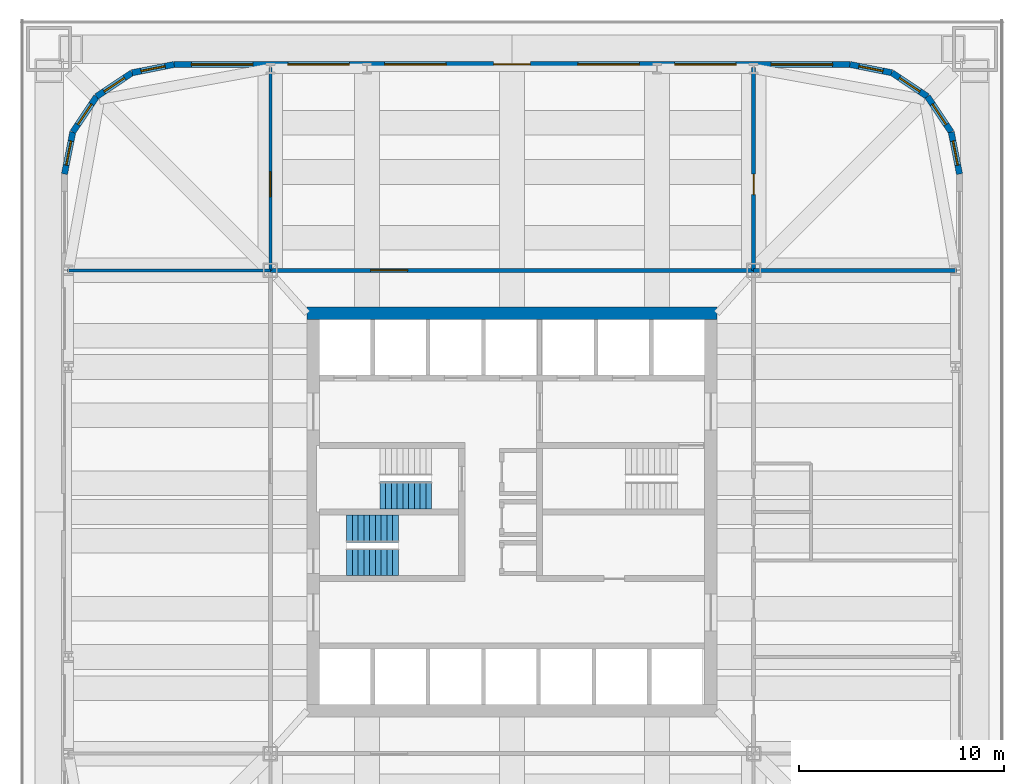
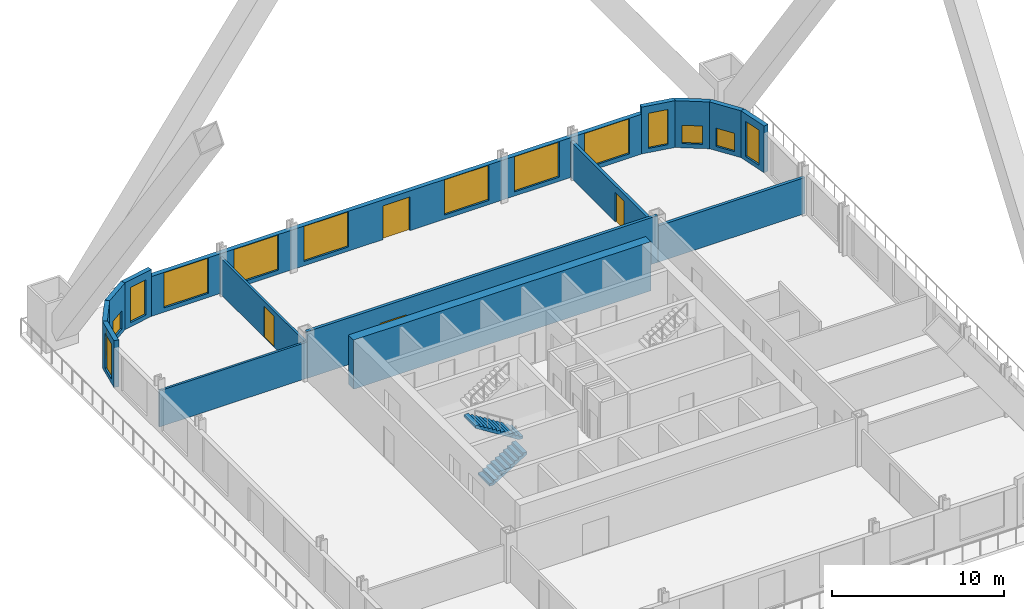
# One storey, part 5 of 7: 15 walls, 14 windows, 4 doors, 3 stair flights, 18 openings, 2 elements without a shape of their own.
"""IFC4 building model written with IfcOpenShell, lengths in metres."""

from ifc_helpers import new_model, si_unit, direction, frame, frame_2d, origin, place, context, subcontext, project, spatial, polyline, rectangle, outline, extrude, material, layer, layer_set, type_object, element, fill, aggregate, save


model = new_model("IFC4")

# Units and contexts
model_context = context("Model", 3, precision=1e-05, world=origin(), true_north=direction((0.0, 1.0)))
body_context = subcontext(model_context, "Body", "Model", "MODEL_VIEW")
ifc_project = project(units=[si_unit("LENGTHUNIT", "METRE"), si_unit("AREAUNIT", "SQUARE_METRE"), si_unit("VOLUMEUNIT", "CUBIC_METRE"), si_unit("PLANEANGLEUNIT", "RADIAN"), si_unit("MASSUNIT", "GRAM", prefix="KILO")], contexts=[model_context])

# Site, building, storey
site_placement = place(None, origin())
site = spatial("IfcSite", under=ifc_project, at=site_placement, CompositionType="ELEMENT")
building_placement = place(site_placement, origin())
building = spatial("IfcBuilding", under=site, at=building_placement, Name="Turquesa Mirador Hotel Tower", CompositionType="ELEMENT")
storey_placement = place(building_placement, frame((0.0, 0.0, 25.0)))
storey = spatial("IfcBuildingStorey", under=building, at=storey_placement, Name="L05", CompositionType="ELEMENT", Elevation=25.0)

# Wall
ifc_material_1 = material(Name="Concrete C50/60", Category="concrete")
ifc_layer_1 = layer(ifc_material_1, 0.60009765625)
ifc_layer_set_1 = layer_set([ifc_layer_1], Name="CORE WALL 600")
wall_type_1 = type_object("IfcWallType", Name="CORE WALL 600", PredefinedType="SHEAR", material=ifc_layer_set_1)
wall_1_placement = place(storey_placement, frame((45.0, 54.699951171875, 0.0), z_axis=(0.0, 0.0, 1.0), x_axis=(1.0, 0.0, 0.0)))
element("IfcWall", 1, at=wall_1_placement, inside=storey, type_object=wall_type_1, Name="Core wall N", PredefinedType="SHEAR", context=body_context, shape_type="SweptSolid", body=[
    extrude(rectangle(XDim=20.0, YDim=0.60009765625, at=frame_2d((10.0, 0.0))), origin(), (0.0, 0.0, 1.0), 3.5),
])

# Wall, opening, door
ifc_material_2 = material(Name="Fire-rated gypsum board on steel studs", Category="steel")
ifc_layer_2 = layer(ifc_material_2, 0.199951171875)
ifc_layer_set_2 = layer_set([ifc_layer_2], Name="CORRIDOR WALL 200")
wall_type_2 = type_object("IfcWallType", Name="CORRIDOR WALL 200", PredefinedType="PARTITIONING", material=ifc_layer_set_2)
wall_2_placement = place(storey_placement, frame((43.199951171875, 56.800048828125, 0.0), z_axis=(0.0, 0.0, 1.0), x_axis=(1.0, 0.0, 0.0)))
wall_2 = element("IfcWall", 2, at=wall_2_placement, inside=storey, type_object=wall_type_2, Name="Partition L05 007", PredefinedType="PARTITIONING", context=body_context, shape_type="SweptSolid", body=[
    extrude(rectangle(XDim=23.60009765625, YDim=0.199951171875, at=frame_2d((11.800048828125, 0.0))), origin(), (0.0, 0.0, 1.0), 3.330078125),
])
opening_1_placement = place(wall_2_placement, frame((4.89990234375, 0.0, 0.0)))
opening_1 = element("IfcOpeningElement", 3, at=opening_1_placement, cuts=wall_2, Name="Opening D04", PredefinedType="OPENING", context=body_context, shape_type="SweptSolid", body=[
    extrude(rectangle(XDim=1.800048828125, YDim=2.199951171875, at=frame_2d((0.89990234375, 1.10009765625))), frame((0.0, 0.10986328125, 0.0), z_axis=(0.0, -1.0, 0.0), x_axis=(1.0, 0.0, 0.0)), (0.0, 0.0, 1.0), 0.219970703125),
])
ifc_material_3 = material(Name="Steel fire door pair", Category="steel")
door_type_1 = type_object("IfcDoorType", Name="DOOR 1800X2200 PAIR", OperationType="DOUBLE_DOOR_SINGLE_SWING", PredefinedType="DOOR", material=ifc_material_3)
door_1_placement = place(opening_1_placement, origin())
door_1 = element("IfcDoor", 4, at=door_1_placement, inside=storey, type_object=door_type_1, Name="Door L05-01", OperationType="DOUBLE_DOOR_SINGLE_SWING", OverallHeight=2.199951171875, OverallWidth=1.800048828125, PredefinedType="DOOR", context=body_context, shape_type="SweptSolid", body=[
    extrude(rectangle(XDim=1.800048828125, YDim=2.199951171875, at=frame_2d((0.89990234375, 1.10009765625))), frame((0.0, 0.02490234375, 0.0), z_axis=(0.0, -1.0, 0.0), x_axis=(1.0, 0.0, 0.0)), (0.0, 0.0, 1.0), 0.050048828125),
])
fill(opening_1, door_1)

# Wall, opening, window
ifc_material_4 = material(Name="Limestone cladding on concrete block", Category="masonry")
ifc_layer_3 = layer(ifc_material_4, 0.300048828125)
ifc_layer_set_3 = layer_set([ifc_layer_3], Name="FACADE WALL 300 STONE SCREEN")
wall_type_3 = type_object("IfcWallType", Name="FACADE WALL 300 STONE SCREEN", PredefinedType="SOLIDWALL", material=ifc_layer_set_3)
wall_3_placement = place(storey_placement, frame((76.85009765625, 61.5, 0.0), z_axis=(0.0, 0.0, 1.0), x_axis=(-0.195081421501, 0.980787050784, 0.0)))
wall_3 = element("IfcWall", 5, at=wall_3_placement, inside=storey, type_object=wall_type_3, Name="Facade wall L05 05", PredefinedType="SOLIDWALL", context=body_context, shape_type="SweptSolid", body=[
    extrude(rectangle(XDim=2.08740234375, YDim=0.300048828125, at=frame_2d((1.043701171875, 0.0))), origin(), (0.0, 0.0, 1.0), 3.330078125),
])
opening_2_placement = place(wall_3_placement, frame((0.443603515625, 0.0, 0.300048828125)))
opening_2 = element("IfcOpeningElement", 6, at=opening_2_placement, cuts=wall_3, Name="Opening WN6", PredefinedType="OPENING", context=body_context, shape_type="SweptSolid", body=[
    extrude(rectangle(XDim=1.199951171875, YDim=2.5, at=frame_2d((0.60009765625, 1.25))), frame((0.0, 0.159912109375, 0.0), z_axis=(0.0, -1.0, 0.0), x_axis=(1.0, 0.0, 0.0)), (0.0, 0.0, 1.0), 0.320068359375),
])
ifc_material_5 = material(Name="Ceramic-fritted laminated glass", Category="glass")
window_type_1 = type_object("IfcWindowType", Name="AMENITY CORNER WINDOW 1200X2500", PartitioningType="SINGLE_PANEL", PredefinedType="WINDOW", material=ifc_material_5)
window_1_placement = place(opening_2_placement, origin())
window_1 = element("IfcWindow", 7, at=window_1_placement, inside=storey, type_object=window_type_1, Name="Window L05", OverallHeight=2.5, OverallWidth=1.199951171875, PartitioningType="SINGLE_PANEL", PredefinedType="WINDOW", context=body_context, shape_type="SweptSolid", body=[
    extrude(rectangle(XDim=1.199951171875, YDim=2.5, at=frame_2d((0.60009765625, 1.25))), frame((0.0, 0.030029296875, 0.0), z_axis=(0.0, -1.0, 0.0), x_axis=(1.0, 0.0, 0.0)), (0.0, 0.0, 1.0), 0.06005859375),
])
fill(opening_2, window_1)

wall_4_placement = place(storey_placement, frame((76.44287109375, 63.54736328125, 0.0), z_axis=(0.0, 0.0, 1.0), x_axis=(-0.555644460423, 0.831420010345, 0.0)))
wall_4 = element("IfcWall", 8, at=wall_4_placement, inside=storey, type_object=wall_type_3, Name="Facade wall L05 06", PredefinedType="SOLIDWALL", context=body_context, shape_type="SweptSolid", body=[
    extrude(rectangle(XDim=2.08740234375, YDim=0.300048828125, at=frame_2d((1.043701171875, 0.0))), origin(), (0.0, 0.0, 1.0), 3.330078125),
])
opening_3_placement = place(wall_4_placement, frame((0.443603515625, 0.0, 0.300048828125)))
opening_3 = element("IfcOpeningElement", 9, at=opening_3_placement, cuts=wall_4, Name="Opening WN9", PredefinedType="OPENING", context=body_context, shape_type="SweptSolid", body=[
    extrude(rectangle(XDim=1.199951171875, YDim=1.300048828125, at=frame_2d((0.60009765625, 0.64990234375))), frame((0.0, 0.159912109375, 0.0), z_axis=(0.0, -1.0, 0.0), x_axis=(1.0, 0.0, 0.0)), (0.0, 0.0, 1.0), 0.320068359375),
])
ifc_material_6 = material(Name="Ceramic-fritted laminated glass", Category="glass")
window_type_2 = type_object("IfcWindowType", Name="AMENITY CORNER WINDOW 1200X1300", PartitioningType="SINGLE_PANEL", PredefinedType="WINDOW", material=ifc_material_6)
window_2_placement = place(opening_3_placement, origin())
window_2 = element("IfcWindow", 10, at=window_2_placement, inside=storey, type_object=window_type_2, Name="Window L05", OverallHeight=1.300048828125, OverallWidth=1.199951171875, PartitioningType="SINGLE_PANEL", PredefinedType="WINDOW", context=body_context, shape_type="SweptSolid", body=[
    extrude(rectangle(XDim=1.199951171875, YDim=1.300048828125, at=frame_2d((0.60009765625, 0.64990234375))), frame((0.0, 0.030029296875, 0.0), z_axis=(0.0, -1.0, 0.0), x_axis=(1.0, 0.0, 0.0)), (0.0, 0.0, 1.0), 0.06005859375),
])
fill(opening_3, window_2)

wall_5_placement = place(storey_placement, frame((75.282958984375, 65.282958984375, 0.0), z_axis=(0.0, 0.0, 1.0), x_axis=(-0.831420010345, 0.555644460423, 0.0)))
wall_5 = element("IfcWall", 11, at=wall_5_placement, inside=storey, type_object=wall_type_3, Name="Facade wall L05 07", PredefinedType="SOLIDWALL", context=body_context, shape_type="SweptSolid", body=[
    extrude(rectangle(XDim=2.08740234375, YDim=0.300048828125, at=frame_2d((1.043701171875, 0.0))), origin(), (0.0, 0.0, 1.0), 3.330078125),
])
opening_4_placement = place(wall_5_placement, frame((0.443603515625, 0.0, 0.300048828125)))
opening_4 = element("IfcOpeningElement", 12, at=opening_4_placement, cuts=wall_5, Name="Opening WN9", PredefinedType="OPENING", context=body_context, shape_type="SweptSolid", body=[
    extrude(rectangle(XDim=1.199951171875, YDim=1.300048828125, at=frame_2d((0.60009765625, 0.64990234375))), frame((0.0, 0.159912109375, 0.0), z_axis=(0.0, -1.0, 0.0), x_axis=(1.0, 0.0, 0.0)), (0.0, 0.0, 1.0), 0.320068359375),
])
window_3_placement = place(opening_4_placement, origin())
window_3 = element("IfcWindow", 13, at=window_3_placement, inside=storey, type_object=window_type_2, Name="Window L05", OverallHeight=1.300048828125, OverallWidth=1.199951171875, PartitioningType="SINGLE_PANEL", PredefinedType="WINDOW", context=body_context, shape_type="SweptSolid", body=[
    extrude(rectangle(XDim=1.199951171875, YDim=1.300048828125, at=frame_2d((0.60009765625, 0.64990234375))), frame((0.0, 0.030029296875, 0.0), z_axis=(0.0, -1.0, 0.0), x_axis=(1.0, 0.0, 0.0)), (0.0, 0.0, 1.0), 0.06005859375),
])
fill(opening_4, window_3)

wall_6_placement = place(storey_placement, frame((73.54736328125, 66.44287109375, 0.0), z_axis=(0.0, 0.0, 1.0), x_axis=(-0.980787050784, 0.195081421501, 0.0)))
wall_6 = element("IfcWall", 14, at=wall_6_placement, inside=storey, type_object=wall_type_3, Name="Facade wall L05 08", PredefinedType="SOLIDWALL", context=body_context, shape_type="SweptSolid", body=[
    extrude(rectangle(XDim=2.08740234375, YDim=0.300048828125, at=frame_2d((1.043701171875, 0.0))), origin(), (0.0, 0.0, 1.0), 3.330078125),
])
opening_5_placement = place(wall_6_placement, frame((0.443603515625, 0.0, 0.300048828125)))
opening_5 = element("IfcOpeningElement", 15, at=opening_5_placement, cuts=wall_6, Name="Opening WN6", PredefinedType="OPENING", context=body_context, shape_type="SweptSolid", body=[
    extrude(rectangle(XDim=1.199951171875, YDim=2.5, at=frame_2d((0.60009765625, 1.25))), frame((0.0, 0.159912109375, 0.0), z_axis=(0.0, -1.0, 0.0), x_axis=(1.0, 0.0, 0.0)), (0.0, 0.0, 1.0), 0.320068359375),
])
window_4_placement = place(opening_5_placement, origin())
window_4 = element("IfcWindow", 16, at=window_4_placement, inside=storey, type_object=window_type_1, Name="Window L05", OverallHeight=2.5, OverallWidth=1.199951171875, PartitioningType="SINGLE_PANEL", PredefinedType="WINDOW", context=body_context, shape_type="SweptSolid", body=[
    extrude(rectangle(XDim=1.199951171875, YDim=2.5, at=frame_2d((0.60009765625, 1.25))), frame((0.0, 0.030029296875, 0.0), z_axis=(0.0, -1.0, 0.0), x_axis=(1.0, 0.0, 0.0)), (0.0, 0.0, 1.0), 0.06005859375),
])
fill(opening_5, window_4)

# Wall, openings, windows, door
wall_7_placement = place(storey_placement, frame((71.5, 66.85009765625, 0.0), z_axis=(0.0, 0.0, 1.0), x_axis=(-1.0, 0.0, 0.0)))
wall_7 = element("IfcWall", 17, at=wall_7_placement, inside=storey, type_object=wall_type_3, Name="Facade wall L05 09", PredefinedType="SOLIDWALL", context=body_context, shape_type="SweptSolid", body=[
    extrude(rectangle(XDim=33.0, YDim=0.300048828125, at=frame_2d((16.5, 0.0))), origin(), (0.0, 0.0, 1.0), 2.830078125),
])
opening_6_placement = place(wall_7_placement, frame((0.85009765625, 0.0, 0.300048828125)))
opening_6 = element("IfcOpeningElement", 18, at=opening_6_placement, cuts=wall_7, Name="Opening WN5", PredefinedType="OPENING", context=body_context, shape_type="SweptSolid", body=[
    extrude(rectangle(XDim=3.0, YDim=2.5, at=frame_2d((1.5, 1.25))), frame((0.0, 0.159912109375, 0.0), z_axis=(0.0, -1.0, 0.0), x_axis=(1.0, 0.0, 0.0)), (0.0, 0.0, 1.0), 0.320068359375),
])
opening_7_placement = place(wall_7_placement, frame((5.56005859375, 0.0, 0.300048828125)))
opening_7 = element("IfcOpeningElement", 19, at=opening_7_placement, cuts=wall_7, Name="Opening WN5", PredefinedType="OPENING", context=body_context, shape_type="SweptSolid", body=[
    extrude(rectangle(XDim=3.0, YDim=2.5, at=frame_2d((1.5, 1.25))), frame((0.0, 0.159912109375, 0.0), z_axis=(0.0, -1.0, 0.0), x_axis=(1.0, 0.0, 0.0)), (0.0, 0.0, 1.0), 0.320068359375),
])
opening_8_placement = place(wall_7_placement, frame((10.280029296875, 0.0, 0.300048828125)))
opening_8 = element("IfcOpeningElement", 20, at=opening_8_placement, cuts=wall_7, Name="Opening WN5", PredefinedType="OPENING", context=body_context, shape_type="SweptSolid", body=[
    extrude(rectangle(XDim=3.0, YDim=2.5, at=frame_2d((1.5, 1.25))), frame((0.0, 0.159912109375, 0.0), z_axis=(0.0, -1.0, 0.0), x_axis=(1.0, 0.0, 0.0)), (0.0, 0.0, 1.0), 0.320068359375),
])
opening_9_placement = place(wall_7_placement, frame((15.60009765625, 0.0, 0.0)))
opening_9 = element("IfcOpeningElement", 21, at=opening_9_placement, cuts=wall_7, Name="Opening D10", PredefinedType="OPENING", context=body_context, shape_type="SweptSolid", body=[
    extrude(rectangle(XDim=1.800048828125, YDim=2.39990234375, at=frame_2d((0.89990234375, 1.199951171875))), frame((0.0, 0.159912109375, 0.0), z_axis=(0.0, -1.0, 0.0), x_axis=(1.0, 0.0, 0.0)), (0.0, 0.0, 1.0), 0.320068359375),
])
opening_10_placement = place(wall_7_placement, frame((19.719970703125, 0.0, 0.300048828125)))
opening_10 = element("IfcOpeningElement", 22, at=opening_10_placement, cuts=wall_7, Name="Opening WN5", PredefinedType="OPENING", context=body_context, shape_type="SweptSolid", body=[
    extrude(rectangle(XDim=3.0, YDim=2.5, at=frame_2d((1.5, 1.25))), frame((0.0, 0.159912109375, 0.0), z_axis=(0.0, -1.0, 0.0), x_axis=(1.0, 0.0, 0.0)), (0.0, 0.0, 1.0), 0.320068359375),
])
opening_11_placement = place(wall_7_placement, frame((24.43994140625, 0.0, 0.300048828125)))
opening_11 = element("IfcOpeningElement", 23, at=opening_11_placement, cuts=wall_7, Name="Opening WN5", PredefinedType="OPENING", context=body_context, shape_type="SweptSolid", body=[
    extrude(rectangle(XDim=3.0, YDim=2.5, at=frame_2d((1.5, 1.25))), frame((0.0, 0.159912109375, 0.0), z_axis=(0.0, -1.0, 0.0), x_axis=(1.0, 0.0, 0.0)), (0.0, 0.0, 1.0), 0.320068359375),
])
opening_12_placement = place(wall_7_placement, frame((29.14990234375, 0.0, 0.300048828125)))
opening_12 = element("IfcOpeningElement", 24, at=opening_12_placement, cuts=wall_7, Name="Opening WN5", PredefinedType="OPENING", context=body_context, shape_type="SweptSolid", body=[
    extrude(rectangle(XDim=3.0, YDim=2.5, at=frame_2d((1.5, 1.25))), frame((0.0, 0.159912109375, 0.0), z_axis=(0.0, -1.0, 0.0), x_axis=(1.0, 0.0, 0.0)), (0.0, 0.0, 1.0), 0.320068359375),
])
ifc_material_7 = material(Name="Ceramic-fritted laminated glass", Category="glass")
window_type_3 = type_object("IfcWindowType", Name="AMENITY WINDOW 3000X2500", PartitioningType="SINGLE_PANEL", PredefinedType="WINDOW", material=ifc_material_7)
window_5_placement = place(opening_6_placement, origin())
window_5 = element("IfcWindow", 25, at=window_5_placement, inside=storey, type_object=window_type_3, Name="Window L05", OverallHeight=2.5, OverallWidth=3.0, PartitioningType="SINGLE_PANEL", PredefinedType="WINDOW", context=body_context, shape_type="SweptSolid", body=[
    extrude(rectangle(XDim=3.0, YDim=2.5, at=frame_2d((1.5, 1.25))), frame((0.0, 0.030029296875, 0.0), z_axis=(0.0, -1.0, 0.0), x_axis=(1.0, 0.0, 0.0)), (0.0, 0.0, 1.0), 0.06005859375),
])
fill(opening_6, window_5)
window_6_placement = place(opening_7_placement, origin())
window_6 = element("IfcWindow", 26, at=window_6_placement, inside=storey, type_object=window_type_3, Name="Window L05", OverallHeight=2.5, OverallWidth=3.0, PartitioningType="SINGLE_PANEL", PredefinedType="WINDOW", context=body_context, shape_type="SweptSolid", body=[
    extrude(rectangle(XDim=3.0, YDim=2.5, at=frame_2d((1.5, 1.25))), frame((0.0, 0.030029296875, 0.0), z_axis=(0.0, -1.0, 0.0), x_axis=(1.0, 0.0, 0.0)), (0.0, 0.0, 1.0), 0.06005859375),
])
fill(opening_7, window_6)
window_7_placement = place(opening_8_placement, origin())
window_7 = element("IfcWindow", 27, at=window_7_placement, inside=storey, type_object=window_type_3, Name="Window L05", OverallHeight=2.5, OverallWidth=3.0, PartitioningType="SINGLE_PANEL", PredefinedType="WINDOW", context=body_context, shape_type="SweptSolid", body=[
    extrude(rectangle(XDim=3.0, YDim=2.5, at=frame_2d((1.5, 1.25))), frame((0.0, 0.030029296875, 0.0), z_axis=(0.0, -1.0, 0.0), x_axis=(1.0, 0.0, 0.0)), (0.0, 0.0, 1.0), 0.06005859375),
])
fill(opening_8, window_7)
window_8_placement = place(opening_10_placement, origin())
window_8 = element("IfcWindow", 28, at=window_8_placement, inside=storey, type_object=window_type_3, Name="Window L05", OverallHeight=2.5, OverallWidth=3.0, PartitioningType="SINGLE_PANEL", PredefinedType="WINDOW", context=body_context, shape_type="SweptSolid", body=[
    extrude(rectangle(XDim=3.0, YDim=2.5, at=frame_2d((1.5, 1.25))), frame((0.0, 0.030029296875, 0.0), z_axis=(0.0, -1.0, 0.0), x_axis=(1.0, 0.0, 0.0)), (0.0, 0.0, 1.0), 0.06005859375),
])
fill(opening_10, window_8)
window_9_placement = place(opening_11_placement, origin())
window_9 = element("IfcWindow", 29, at=window_9_placement, inside=storey, type_object=window_type_3, Name="Window L05", OverallHeight=2.5, OverallWidth=3.0, PartitioningType="SINGLE_PANEL", PredefinedType="WINDOW", context=body_context, shape_type="SweptSolid", body=[
    extrude(rectangle(XDim=3.0, YDim=2.5, at=frame_2d((1.5, 1.25))), frame((0.0, 0.030029296875, 0.0), z_axis=(0.0, -1.0, 0.0), x_axis=(1.0, 0.0, 0.0)), (0.0, 0.0, 1.0), 0.06005859375),
])
fill(opening_11, window_9)
window_10_placement = place(opening_12_placement, origin())
window_10 = element("IfcWindow", 30, at=window_10_placement, inside=storey, type_object=window_type_3, Name="Window L05", OverallHeight=2.5, OverallWidth=3.0, PartitioningType="SINGLE_PANEL", PredefinedType="WINDOW", context=body_context, shape_type="SweptSolid", body=[
    extrude(rectangle(XDim=3.0, YDim=2.5, at=frame_2d((1.5, 1.25))), frame((0.0, 0.030029296875, 0.0), z_axis=(0.0, -1.0, 0.0), x_axis=(1.0, 0.0, 0.0)), (0.0, 0.0, 1.0), 0.06005859375),
])
fill(opening_12, window_10)
ifc_material_8 = material(Name="Aluminium glazed sliding door", Category="aluminium")
door_type_2 = type_object("IfcDoorType", Name="TERRACE DOOR 1800X2400 GLAZED", OperationType="SLIDING_TO_LEFT", PredefinedType="DOOR", material=ifc_material_8)
door_2_placement = place(opening_9_placement, origin())
door_2 = element("IfcDoor", 31, at=door_2_placement, inside=storey, type_object=door_type_2, Name="Terrace door L05", OperationType="SLIDING_TO_LEFT", OverallHeight=2.39990234375, OverallWidth=1.800048828125, PredefinedType="DOOR", context=body_context, shape_type="SweptSolid", body=[
    extrude(rectangle(XDim=1.800048828125, YDim=2.39990234375, at=frame_2d((0.89990234375, 1.199951171875))), frame((0.0, 0.02490234375, 0.0), z_axis=(0.0, -1.0, 0.0), x_axis=(1.0, 0.0, 0.0)), (0.0, 0.0, 1.0), 0.050048828125),
])
fill(opening_9, door_2)

# Wall, opening, window
wall_8_placement = place(storey_placement, frame((38.5, 66.85009765625, 0.0), z_axis=(0.0, 0.0, 1.0), x_axis=(-0.980787050784, -0.195081421501, 0.0)))
wall_8 = element("IfcWall", 32, at=wall_8_placement, inside=storey, type_object=wall_type_3, Name="Facade wall L05 10", PredefinedType="SOLIDWALL", context=body_context, shape_type="SweptSolid", body=[
    extrude(rectangle(XDim=2.08740234375, YDim=0.300048828125, at=frame_2d((1.043701171875, 0.0))), origin(), (0.0, 0.0, 1.0), 3.330078125),
])
opening_13_placement = place(wall_8_placement, frame((0.443603515625, 0.0, 0.300048828125)))
opening_13 = element("IfcOpeningElement", 33, at=opening_13_placement, cuts=wall_8, Name="Opening WN6", PredefinedType="OPENING", context=body_context, shape_type="SweptSolid", body=[
    extrude(rectangle(XDim=1.199951171875, YDim=2.5, at=frame_2d((0.60009765625, 1.25))), frame((0.0, 0.159912109375, 0.0), z_axis=(0.0, -1.0, 0.0), x_axis=(1.0, 0.0, 0.0)), (0.0, 0.0, 1.0), 0.320068359375),
])
window_11_placement = place(opening_13_placement, origin())
window_11 = element("IfcWindow", 34, at=window_11_placement, inside=storey, type_object=window_type_1, Name="Window L05", OverallHeight=2.5, OverallWidth=1.199951171875, PartitioningType="SINGLE_PANEL", PredefinedType="WINDOW", context=body_context, shape_type="SweptSolid", body=[
    extrude(rectangle(XDim=1.199951171875, YDim=2.5, at=frame_2d((0.60009765625, 1.25))), frame((0.0, 0.030029296875, 0.0), z_axis=(0.0, -1.0, 0.0), x_axis=(1.0, 0.0, 0.0)), (0.0, 0.0, 1.0), 0.06005859375),
])
fill(opening_13, window_11)

wall_9_placement = place(storey_placement, frame((36.45263671875, 66.44287109375, 0.0), z_axis=(0.0, 0.0, 1.0), x_axis=(-0.831420010345, -0.555644460423, 0.0)))
wall_9 = element("IfcWall", 35, at=wall_9_placement, inside=storey, type_object=wall_type_3, Name="Facade wall L05 11", PredefinedType="SOLIDWALL", context=body_context, shape_type="SweptSolid", body=[
    extrude(rectangle(XDim=2.08740234375, YDim=0.300048828125, at=frame_2d((1.043701171875, 0.0))), origin(), (0.0, 0.0, 1.0), 3.330078125),
])
opening_14_placement = place(wall_9_placement, frame((0.443603515625, 0.0, 0.300048828125)))
opening_14 = element("IfcOpeningElement", 36, at=opening_14_placement, cuts=wall_9, Name="Opening WN9", PredefinedType="OPENING", context=body_context, shape_type="SweptSolid", body=[
    extrude(rectangle(XDim=1.199951171875, YDim=1.300048828125, at=frame_2d((0.60009765625, 0.64990234375))), frame((0.0, 0.159912109375, 0.0), z_axis=(0.0, -1.0, 0.0), x_axis=(1.0, 0.0, 0.0)), (0.0, 0.0, 1.0), 0.320068359375),
])
window_12_placement = place(opening_14_placement, origin())
window_12 = element("IfcWindow", 37, at=window_12_placement, inside=storey, type_object=window_type_2, Name="Window L05", OverallHeight=1.300048828125, OverallWidth=1.199951171875, PartitioningType="SINGLE_PANEL", PredefinedType="WINDOW", context=body_context, shape_type="SweptSolid", body=[
    extrude(rectangle(XDim=1.199951171875, YDim=1.300048828125, at=frame_2d((0.60009765625, 0.64990234375))), frame((0.0, 0.030029296875, 0.0), z_axis=(0.0, -1.0, 0.0), x_axis=(1.0, 0.0, 0.0)), (0.0, 0.0, 1.0), 0.06005859375),
])
fill(opening_14, window_12)

wall_10_placement = place(storey_placement, frame((34.717041015625, 65.282958984375, 0.0), z_axis=(0.0, 0.0, 1.0), x_axis=(-0.555644460423, -0.831420010345, 0.0)))
wall_10 = element("IfcWall", 38, at=wall_10_placement, inside=storey, type_object=wall_type_3, Name="Facade wall L05 12", PredefinedType="SOLIDWALL", context=body_context, shape_type="SweptSolid", body=[
    extrude(rectangle(XDim=2.08740234375, YDim=0.300048828125, at=frame_2d((1.043701171875, 0.0))), origin(), (0.0, 0.0, 1.0), 3.330078125),
])
opening_15_placement = place(wall_10_placement, frame((0.443603515625, 0.0, 0.300048828125)))
opening_15 = element("IfcOpeningElement", 39, at=opening_15_placement, cuts=wall_10, Name="Opening WN9", PredefinedType="OPENING", context=body_context, shape_type="SweptSolid", body=[
    extrude(rectangle(XDim=1.199951171875, YDim=1.300048828125, at=frame_2d((0.60009765625, 0.64990234375))), frame((0.0, 0.159912109375, 0.0), z_axis=(0.0, -1.0, 0.0), x_axis=(1.0, 0.0, 0.0)), (0.0, 0.0, 1.0), 0.320068359375),
])
window_13_placement = place(opening_15_placement, origin())
window_13 = element("IfcWindow", 40, at=window_13_placement, inside=storey, type_object=window_type_2, Name="Window L05", OverallHeight=1.300048828125, OverallWidth=1.199951171875, PartitioningType="SINGLE_PANEL", PredefinedType="WINDOW", context=body_context, shape_type="SweptSolid", body=[
    extrude(rectangle(XDim=1.199951171875, YDim=1.300048828125, at=frame_2d((0.60009765625, 0.64990234375))), frame((0.0, 0.030029296875, 0.0), z_axis=(0.0, -1.0, 0.0), x_axis=(1.0, 0.0, 0.0)), (0.0, 0.0, 1.0), 0.06005859375),
])
fill(opening_15, window_13)

wall_11_placement = place(storey_placement, frame((33.55712890625, 63.54736328125, 0.0), z_axis=(0.0, 0.0, 1.0), x_axis=(-0.195081421501, -0.980787050784, 0.0)))
wall_11 = element("IfcWall", 41, at=wall_11_placement, inside=storey, type_object=wall_type_3, Name="Facade wall L05 13", PredefinedType="SOLIDWALL", context=body_context, shape_type="SweptSolid", body=[
    extrude(rectangle(XDim=2.08740234375, YDim=0.300048828125, at=frame_2d((1.043701171875, 0.0))), origin(), (0.0, 0.0, 1.0), 3.330078125),
])
opening_16_placement = place(wall_11_placement, frame((0.443603515625, 0.0, 0.300048828125)))
opening_16 = element("IfcOpeningElement", 42, at=opening_16_placement, cuts=wall_11, Name="Opening WN6", PredefinedType="OPENING", context=body_context, shape_type="SweptSolid", body=[
    extrude(rectangle(XDim=1.199951171875, YDim=2.5, at=frame_2d((0.60009765625, 1.25))), frame((0.0, 0.159912109375, 0.0), z_axis=(0.0, -1.0, 0.0), x_axis=(1.0, 0.0, 0.0)), (0.0, 0.0, 1.0), 0.320068359375),
])
window_14_placement = place(opening_16_placement, origin())
window_14 = element("IfcWindow", 43, at=window_14_placement, inside=storey, type_object=window_type_1, Name="Window L05", OverallHeight=2.5, OverallWidth=1.199951171875, PartitioningType="SINGLE_PANEL", PredefinedType="WINDOW", context=body_context, shape_type="SweptSolid", body=[
    extrude(rectangle(XDim=1.199951171875, YDim=2.5, at=frame_2d((0.60009765625, 1.25))), frame((0.0, 0.030029296875, 0.0), z_axis=(0.0, -1.0, 0.0), x_axis=(1.0, 0.0, 0.0)), (0.0, 0.0, 1.0), 0.06005859375),
])
fill(opening_16, window_14)

# Wall
ifc_material_9 = material(Name="Fire-rated gypsum board on steel studs", Category="steel")
ifc_layer_4 = layer(ifc_material_9, 0.199951171875)
ifc_layer_set_4 = layer_set([ifc_layer_4], Name="FIRE PARTITION 200")
wall_type_4 = type_object("IfcWallType", Name="FIRE PARTITION 200", PredefinedType="PARTITIONING", material=ifc_layer_set_4)
wall_12_placement = place(storey_placement, frame((66.800048828125, 56.800048828125, 0.0), z_axis=(0.0, 0.0, 1.0), x_axis=(1.0, 0.0, 0.0)))
element("IfcWall", 44, at=wall_12_placement, inside=storey, type_object=wall_type_4, Name="Partition L05 008", PredefinedType="PARTITIONING", context=body_context, shape_type="SweptSolid", body=[
    extrude(rectangle(XDim=9.89990234375, YDim=0.199951171875, at=frame_2d((4.949951171875, 0.0))), origin(), (0.0, 0.0, 1.0), 2.572998046875),
])

# Wall, opening, door
wall_13_placement = place(storey_placement, frame((66.800048828125, 56.800048828125, 0.0), z_axis=(0.0, 0.0, 1.0), x_axis=(0.0, 1.0, 0.0)))
wall_13 = element("IfcWall", 45, at=wall_13_placement, inside=storey, type_object=wall_type_4, Name="Partition L05 015", PredefinedType="PARTITIONING", context=body_context, shape_type="SweptSolid", body=[
    extrude(rectangle(XDim=9.89990234375, YDim=0.199951171875, at=frame_2d((4.949951171875, 0.0))), origin(), (0.0, 0.0, 1.0), 2.572998046875),
])
opening_17_placement = place(wall_13_placement, frame((3.699951171875, 0.0, 0.0)))
opening_17 = element("IfcOpeningElement", 46, at=opening_17_placement, cuts=wall_13, Name="Opening D05", PredefinedType="OPENING", context=body_context, shape_type="SweptSolid", body=[
    extrude(rectangle(XDim=1.0, YDim=2.10009765625, at=frame_2d((0.5, 1.050048828125))), frame((0.0, 0.10986328125, 0.0), z_axis=(0.0, -1.0, 0.0), x_axis=(1.0, 0.0, 0.0)), (0.0, 0.0, 1.0), 0.219970703125),
])
ifc_material_10 = material(Name="Steel fire door", Category="steel")
door_type_3 = type_object("IfcDoorType", Name="DOOR 1000X2100 SERVICE", OperationType="SINGLE_SWING_LEFT", PredefinedType="DOOR", material=ifc_material_10)
door_3_placement = place(opening_17_placement, origin())
door_3 = element("IfcDoor", 47, at=door_3_placement, inside=storey, type_object=door_type_3, Name="Door L05-03", OperationType="SINGLE_SWING_LEFT", OverallHeight=2.10009765625, OverallWidth=1.0, PredefinedType="DOOR", context=body_context, shape_type="SweptSolid", body=[
    extrude(rectangle(XDim=1.0, YDim=2.10009765625, at=frame_2d((0.5, 1.050048828125))), frame((0.0, 0.02490234375, 0.0), z_axis=(0.0, -1.0, 0.0), x_axis=(1.0, 0.0, 0.0)), (0.0, 0.0, 1.0), 0.050048828125),
])
fill(opening_17, door_3)

# Wall
ifc_material_11 = material(Name="Gypsum board on steel studs", Category="steel")
ifc_layer_5 = layer(ifc_material_11, 0.14990234375)
ifc_layer_set_5 = layer_set([ifc_layer_5], Name="PARTITION 150")
wall_type_5 = type_object("IfcWallType", Name="PARTITION 150", PredefinedType="PARTITIONING", material=ifc_layer_set_5)
wall_14_placement = place(storey_placement, frame((33.300048828125, 56.800048828125, 0.0), z_axis=(0.0, 0.0, 1.0), x_axis=(1.0, 0.0, 0.0)))
element("IfcWall", 48, at=wall_14_placement, inside=storey, type_object=wall_type_5, Name="Partition L05 009", PredefinedType="PARTITIONING", context=body_context, shape_type="SweptSolid", body=[
    extrude(rectangle(XDim=9.89990234375, YDim=0.14990234375, at=frame_2d((4.949951171875, 0.0))), origin(), (0.0, 0.0, 1.0), 2.572998046875),
])

# Wall, opening, door
wall_15_placement = place(storey_placement, frame((43.199951171875, 56.800048828125, 0.0), z_axis=(0.0, 0.0, 1.0), x_axis=(0.0, 1.0, 0.0)))
wall_15 = element("IfcWall", 49, at=wall_15_placement, inside=storey, type_object=wall_type_5, Name="Partition L05 013", PredefinedType="PARTITIONING", context=body_context, shape_type="SweptSolid", body=[
    extrude(rectangle(XDim=9.89990234375, YDim=0.14990234375, at=frame_2d((4.949951171875, 0.0))), origin(), (0.0, 0.0, 1.0), 2.572998046875),
])
opening_18_placement = place(wall_15_placement, frame((3.60009765625, 0.0, 0.0)))
opening_18 = element("IfcOpeningElement", 50, at=opening_18_placement, cuts=wall_15, Name="Opening D09", PredefinedType="OPENING", context=body_context, shape_type="SweptSolid", body=[
    extrude(rectangle(XDim=1.199951171875, YDim=2.199951171875, at=frame_2d((0.60009765625, 1.10009765625))), frame((0.0, 0.0849609375, 0.0), z_axis=(0.0, -1.0, 0.0), x_axis=(1.0, 0.0, 0.0)), (0.0, 0.0, 1.0), 0.169921875),
])
ifc_material_12 = material(Name="Timber door", Category="wood")
door_type_4 = type_object("IfcDoorType", Name="DOOR 1200X2200 OFFICE", OperationType="SINGLE_SWING_LEFT", PredefinedType="DOOR", material=ifc_material_12)
door_4_placement = place(opening_18_placement, origin())
door_4 = element("IfcDoor", 51, at=door_4_placement, inside=storey, type_object=door_type_4, Name="Door L05-04", OperationType="SINGLE_SWING_LEFT", OverallHeight=2.199951171875, OverallWidth=1.199951171875, PredefinedType="DOOR", context=body_context, shape_type="SweptSolid", body=[
    extrude(rectangle(XDim=1.199951171875, YDim=2.199951171875, at=frame_2d((0.60009765625, 1.10009765625))), frame((0.0, 0.02490234375, 0.0), z_axis=(0.0, -1.0, 0.0), x_axis=(1.0, 0.0, 0.0)), (0.0, 0.0, 1.0), 0.050048828125),
])
fill(opening_18, door_4)

# Stair, stair flight
ifc_material_13 = material(Name="Concrete C35/45", Category="concrete")
stair_type = type_object("IfcStairType", Name="ESCAPE STAIR CORE", PredefinedType="HALF_TURN_STAIR", material=ifc_material_13)
stair_1_placement = place(storey_placement, origin())
stair_1 = element("IfcStair", 52, at=stair_1_placement, inside=storey, type_object=stair_type, Name="Stair ST1 L05 to L06", PredefinedType="HALF_TURN_STAIR")
ifc_material_14 = material(Name="Concrete C35/45 precast flight", Category="concrete")
stair_flight_type = type_object("IfcStairFlightType", Name="STAIR FLIGHT 1330", PredefinedType="STRAIGHT", material=ifc_material_14)
stair_flight_1_placement = place(storey_placement, frame((51.070068359375, 45.81494140625, 0.0), z_axis=(0.0, 0.0, 1.0), x_axis=(-1.0, 0.0, 0.0)))
stair_flight_1 = element("IfcStairFlight", 53, at=stair_flight_1_placement, type_object=stair_flight_type, Name="ST1 flight 1", NumberOfRisers=10, NumberOfTreads=9, PredefinedType="STRAIGHT", RiserHeight=0.175, TreadLength=0.28, context=body_context, shape_type="SweptSolid", body=[
    extrude(outline(polyline([(0.0, 0.0), (0.0, 0.175048828125), (0.280029296875, 0.175048828125), (0.280029296875, 0.35009765625), (0.56005859375, 0.35009765625), (0.56005859375, 0.52490234375), (0.840087890625, 0.52490234375), (0.840087890625, 0.699951171875), (1.1201171875, 0.699951171875), (1.1201171875, 0.875), (1.39990234375, 0.875), (1.39990234375, 1.050048828125), (1.679931640625, 1.050048828125), (1.679931640625, 1.22509765625), (1.9599609375, 1.22509765625), (1.9599609375, 1.39990234375), (2.239990234375, 1.39990234375), (2.239990234375, 1.574951171875), (2.52001953125, 1.574951171875), (2.52001953125, 1.75), (2.52001953125, 1.398193359375), (0.28271484375, 0.0), (0.0, 0.0)])), frame((0.0, 0.6650390625, 0.0), z_axis=(0.0, -1.0, 0.0), x_axis=(1.0, 0.0, 0.0)), (0.0, 0.0, 1.0), 1.330078125),
])
aggregate(stair_1, [stair_flight_1])

# Stair, stair flights
stair_2_placement = place(storey_placement, origin())
stair_2 = element("IfcStair", 54, at=stair_2_placement, inside=storey, type_object=stair_type, Name="Stair ST2 L05 to L06", PredefinedType="HALF_TURN_STAIR")
stair_flight_2_placement = place(storey_placement, frame((46.929931640625, 42.56494140625, 0.0), z_axis=(0.0, 0.0, 1.0), x_axis=(1.0, 0.0, 0.0)))
stair_flight_2 = element("IfcStairFlight", 55, at=stair_flight_2_placement, type_object=stair_flight_type, Name="ST2 flight 1", NumberOfRisers=10, NumberOfTreads=9, PredefinedType="STRAIGHT", RiserHeight=0.175, TreadLength=0.28, context=body_context, shape_type="SweptSolid", body=[
    extrude(outline(polyline([(0.0, 0.0), (0.0, 0.175048828125), (0.280029296875, 0.175048828125), (0.280029296875, 0.35009765625), (0.56005859375, 0.35009765625), (0.56005859375, 0.52490234375), (0.840087890625, 0.52490234375), (0.840087890625, 0.699951171875), (1.1201171875, 0.699951171875), (1.1201171875, 0.875), (1.39990234375, 0.875), (1.39990234375, 1.050048828125), (1.679931640625, 1.050048828125), (1.679931640625, 1.22509765625), (1.9599609375, 1.22509765625), (1.9599609375, 1.39990234375), (2.239990234375, 1.39990234375), (2.239990234375, 1.574951171875), (2.52001953125, 1.574951171875), (2.52001953125, 1.75), (2.52001953125, 1.398193359375), (0.28271484375, 0.0), (0.0, 0.0)])), frame((0.0, 0.6650390625, 0.0), z_axis=(0.0, -1.0, 0.0), x_axis=(1.0, 0.0, 0.0)), (0.0, 0.0, 1.0), 1.330078125),
])
stair_flight_3_placement = place(storey_placement, frame((49.449951171875, 44.18505859375, 1.75), z_axis=(0.0, 0.0, 1.0), x_axis=(-1.0, 0.0, 0.0)))
stair_flight_3 = element("IfcStairFlight", 56, at=stair_flight_3_placement, type_object=stair_flight_type, Name="ST2 flight 2", NumberOfRisers=10, NumberOfTreads=9, PredefinedType="STRAIGHT", RiserHeight=0.175, TreadLength=0.28, context=body_context, shape_type="SweptSolid", body=[
    extrude(outline(polyline([(0.0, 0.0), (0.0, 0.175048828125), (0.280029296875, 0.175048828125), (0.280029296875, 0.35009765625), (0.56005859375, 0.35009765625), (0.56005859375, 0.52490234375), (0.840087890625, 0.52490234375), (0.840087890625, 0.699951171875), (1.1201171875, 0.699951171875), (1.1201171875, 0.875), (1.39990234375, 0.875), (1.39990234375, 1.050048828125), (1.679931640625, 1.050048828125), (1.679931640625, 1.22509765625), (1.9599609375, 1.22509765625), (1.9599609375, 1.39990234375), (2.239990234375, 1.39990234375), (2.239990234375, 1.574951171875), (2.52001953125, 1.574951171875), (2.52001953125, 1.75), (2.52001953125, 1.398193359375), (0.28271484375, 0.0), (0.0, 0.0)])), frame((0.0, 0.6650390625, 0.0), z_axis=(0.0, -1.0, 0.0), x_axis=(1.0, 0.0, 0.0)), (0.0, 0.0, 1.0), 1.330078125),
])
aggregate(stair_2, [stair_flight_2, stair_flight_3])

save(model, "model.ifc")
